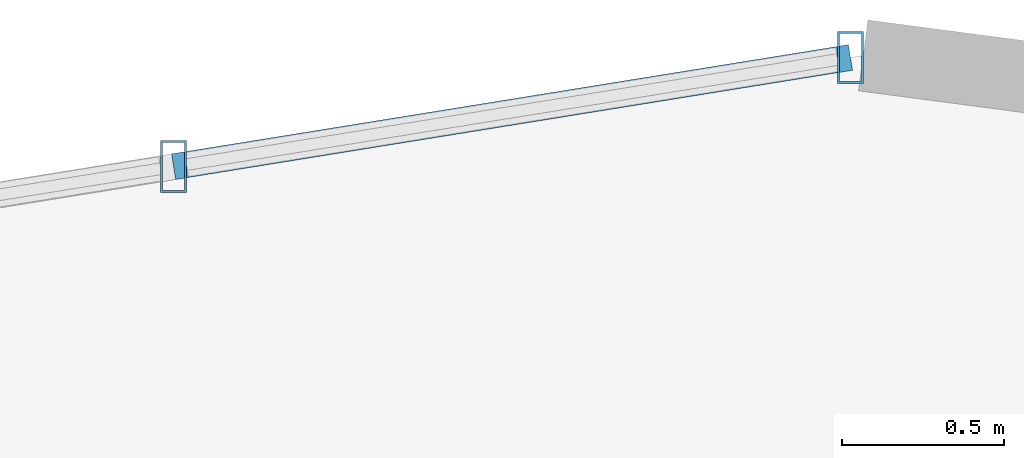
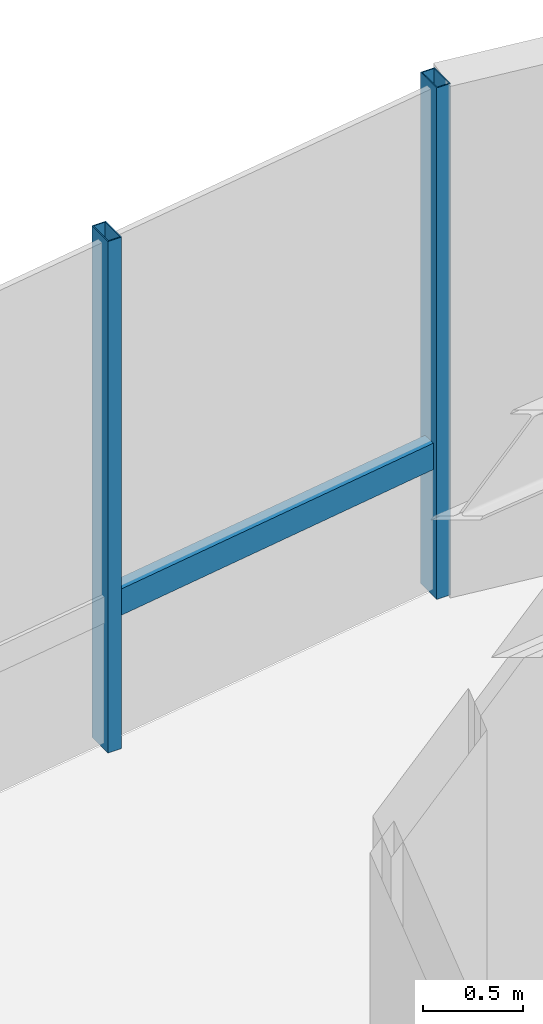
# One storey, part 15 of 21: 3 members, 1 element without a shape of its own.
"""IFC4 building model written with IfcOpenShell, lengths in metres."""

from ifc_helpers import new_model, si_unit, direction, frame, origin, origin_2d, place, context, subcontext, project, spatial, hollow_rectangle, extrude, source, transform, mapped, material, material_profile, profile_set, type_object, element, aggregate, save


model = new_model("IFC4")

# Units and contexts
model_context = context("Model", 3, precision=1e-05, world=origin(), true_north=direction((0.0, 1.0)))
body_context = subcontext(model_context, "Body", "Model", "MODEL_VIEW")
ifc_project = project(units=[si_unit("LENGTHUNIT", "METRE"), si_unit("AREAUNIT", "SQUARE_METRE"), si_unit("VOLUMEUNIT", "CUBIC_METRE"), si_unit("PLANEANGLEUNIT", "RADIAN"), si_unit("MASSUNIT", "GRAM", prefix="KILO")], contexts=[model_context])

# Site, building, storey
site_placement = place(None, origin())
site = spatial("IfcSite", under=ifc_project, at=site_placement, CompositionType="ELEMENT")
building_placement = place(site_placement, origin())
building = spatial("IfcBuilding", under=site, at=building_placement, Name="Sahyath Konkavel Grand Hotel", CompositionType="ELEMENT")
storey_placement = place(building_placement, frame((0.0, 0.0, 213.199951171875)))
storey = spatial("IfcBuildingStorey", under=building, at=storey_placement, Name="L59", CompositionType="ELEMENT", Elevation=213.199951171875)

# Curtain wall, members
ifc_material_1 = material(Name="Anodised Bronze Aluminium & Low-E Glazing", Category="aluminium")
curtain_wall_type = type_object("IfcCurtainWallType", Name="CW-ZONE4", PredefinedType="NOTDEFINED", material=ifc_material_1)
curtain_wall_placement = place(storey_placement, origin())
curtain_wall = element("IfcCurtainWall", 1, at=curtain_wall_placement, inside=storey, type_object=curtain_wall_type, Name="L59 Unitised Curtain Wall F12", PredefinedType="NOTDEFINED")
ifc_material_2 = material(Name="Anodised Bronze Aluminium", Category="aluminium")
ifc_material_profile_1 = material_profile(ifc_material_2, hollow_rectangle(XDim=0.080078125, YDim=0.159912109375, WallThickness=0.006103515625, at=origin_2d()), Name="RHS 160x80x6")
ifc_profile_set_1 = profile_set([ifc_material_profile_1], Name="Anodised Bronze Aluminium")
member_type_1 = type_object("IfcMemberType", Name="CW-MUL-160", PredefinedType="MULLION", material=ifc_profile_set_1)
shared_shape_1 = source(origin(), body_context, "Body", "SweptSolid", [
    extrude(hollow_rectangle(XDim=0.080078125, YDim=0.159912109375, WallThickness=0.006103515625, at=origin_2d()), origin(), (0.0, 0.0, 1.0), 3.110107421875),
])
member_1_placement = place(storey_placement, frame((1.117431640625, 20.318603515625, 0.0), z_axis=(0.0, 0.0, 1.0), x_axis=(1.0, 0.0, 0.0)))
member_1 = element("IfcMember", 2, at=member_1_placement, type_object=member_type_1, Name="L59 Curtain Wall Mullion F12-0", PredefinedType="MULLION", context=body_context, shape_type="MappedRepresentation", body=[
    mapped(shared_shape_1, transform((0.0, 0.0, 0.0), scale=1.0)),
])
member_2_placement = place(storey_placement, frame((-0.9677734375, 19.982177734375, 0.0), z_axis=(0.0, 0.0, 1.0), x_axis=(1.0, 0.0, 0.0)))
member_2 = element("IfcMember", 3, at=member_2_placement, type_object=member_type_1, Name="L59 Curtain Wall Mullion F12-1", PredefinedType="MULLION", context=body_context, shape_type="MappedRepresentation", body=[
    mapped(shared_shape_1, transform((0.0, 0.0, 0.0), scale=1.0)),
])
ifc_material_profile_2 = material_profile(ifc_material_2, hollow_rectangle(XDim=0.080078125, YDim=0.159912109375, WallThickness=0.006103515625, at=origin_2d()), Name="RHS 160x80x6")
ifc_profile_set_2 = profile_set([ifc_material_profile_2], Name="Anodised Bronze Aluminium")
member_type_2 = type_object("IfcMemberType", Name="CW-TRN-160", PredefinedType="USERDEFINED", material=ifc_profile_set_2)
shared_shape_2 = source(origin(), body_context, "Body", "SweptSolid", [
    extrude(hollow_rectangle(XDim=0.080078125, YDim=0.159912109375, WallThickness=0.006103515625, at=origin_2d()), origin(), (0.0, 0.0, 1.0), 2.112060546875),
])
member_3_placement = place(storey_placement, frame((1.117431640625, 20.318603515625, 0.85009765625), z_axis=(-0.987233499712, -0.159279681841, 0.0), x_axis=(0.159279681841, -0.987233499712, 0.0)))
member_3 = element("IfcMember", 4, at=member_3_placement, type_object=member_type_2, Name="L59 Curtain Wall Transom F12-0-spandrel", ObjectType="TRANSOM", PredefinedType="USERDEFINED", context=body_context, shape_type="MappedRepresentation", body=[
    mapped(shared_shape_2, transform((0.0, 0.0, 0.0), scale=1.0)),
])
aggregate(curtain_wall, [member_1, member_2, member_3])

save(model, "model.ifc")
